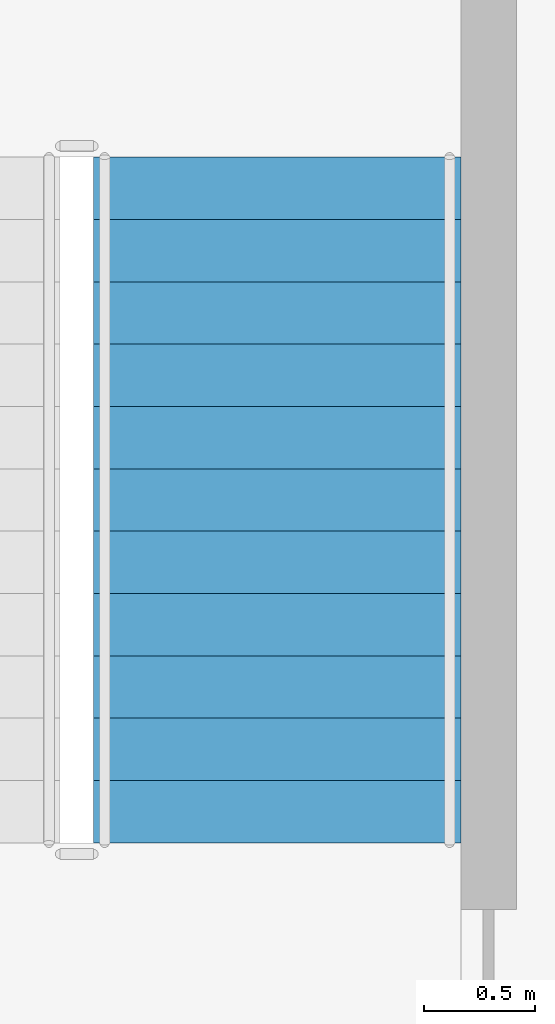
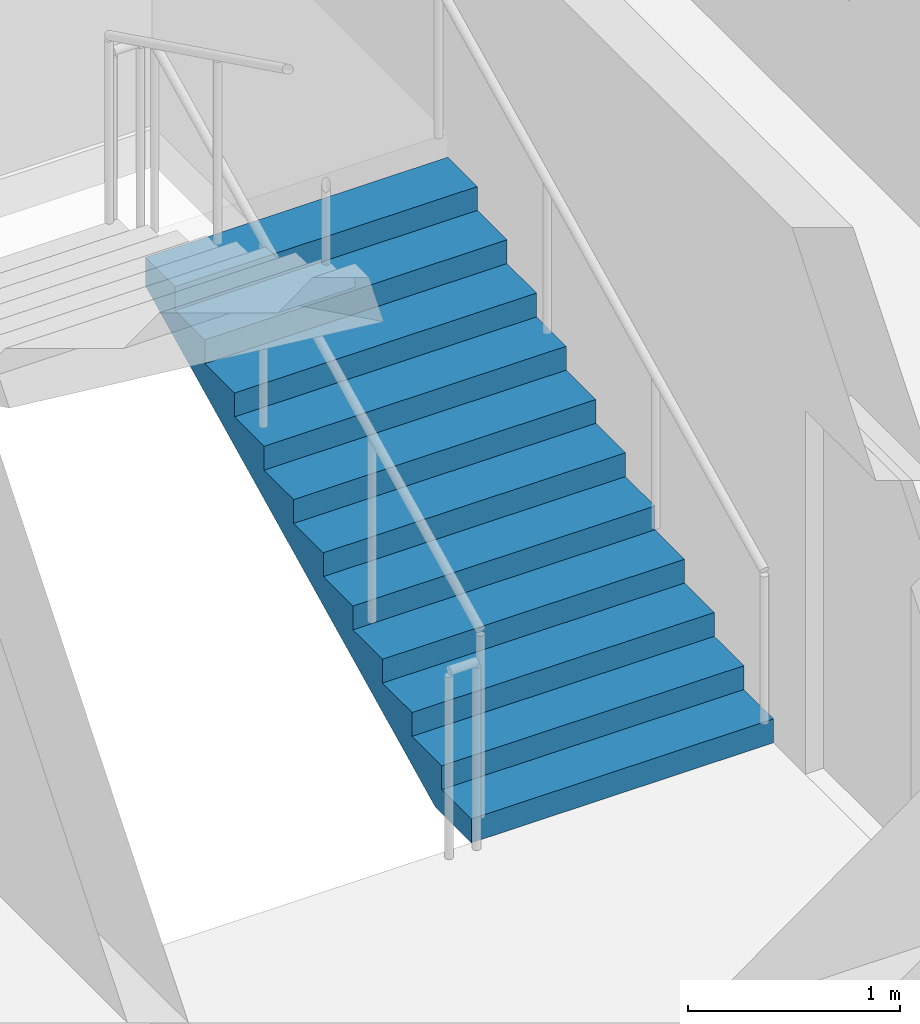
# One storey, part 12 of 27: 1 stair flight, 1 element without a shape of its own.
"""IFC4 building model written with IfcOpenShell, lengths in metres."""

from ifc_helpers import new_model, si_unit, direction, frame, origin, place, context, subcontext, project, spatial, polyline, outline, extrude, material, layer, layer_set, type_object, element, aggregate, save


model = new_model("IFC4")

# Units and contexts
model_context = context("Model", 3, precision=1e-05, world=origin(), true_north=direction((0.0, 1.0)))
body_context = subcontext(model_context, "Body", "Model", "MODEL_VIEW")
ifc_project = project(units=[si_unit("LENGTHUNIT", "METRE"), si_unit("AREAUNIT", "SQUARE_METRE"), si_unit("VOLUMEUNIT", "CUBIC_METRE"), si_unit("PLANEANGLEUNIT", "RADIAN"), si_unit("MASSUNIT", "GRAM", prefix="KILO")], contexts=[model_context])

# Site, building, storey
site_placement = place(None, origin())
site = spatial("IfcSite", under=ifc_project, at=site_placement, CompositionType="ELEMENT")
building_placement = place(site_placement, origin())
building = spatial("IfcBuilding", under=site, at=building_placement, Name="Poui Terraces", CompositionType="ELEMENT")
storey_placement = place(building_placement, frame((0.0, 0.0, 201.60009765625)))
storey = spatial("IfcBuildingStorey", under=building, at=storey_placement, Name="L56", CompositionType="ELEMENT", Elevation=201.60009765625)

# Stair, stair flight
ifc_material = material(Name="Concrete 50 MPa", Category="concrete")
stair_type = type_object("IfcStairType", Name="EXIT STAIR 1650 50 MPA", PredefinedType="HALF_TURN_STAIR", material=ifc_material)
stair_placement = place(storey_placement, origin())
stair = element("IfcStair", 1, at=stair_placement, inside=storey, type_object=stair_type, Name="L56 TIP STAIR EAST", PredefinedType="HALF_TURN_STAIR")
ifc_layer = layer(ifc_material, 0.14990234375)
ifc_layer_set = layer_set([ifc_layer], Name="Concrete 50 MPa")
stair_flight_type = type_object("IfcStairFlightType", Name="STAIR FLIGHT 12 RISERS 138 RISE 50 MPA", PredefinedType="STRAIGHT", material=ifc_layer_set)
stair_flight_placement = place(storey_placement, frame((80.25, 16.60009765625, 0.0), z_axis=(0.0, 0.0, 1.0), x_axis=(0.0, 1.0, 0.0)))
stair_flight = element("IfcStairFlight", 2, at=stair_flight_placement, type_object=stair_flight_type, Name="ST-E flight 1", NumberOfRisers=12, NumberOfTreads=11, PredefinedType="STRAIGHT", RiserHeight=0.1375, TreadLength=0.28, context=body_context, shape_type="SweptSolid", body=[
    extrude(outline(polyline([(0.0, 0.0), (0.0, 0.137451171875), (0.280029296875, 0.137451171875), (0.280029296875, 0.27490234375), (0.56005859375, 0.27490234375), (0.56005859375, 0.41259765625), (0.840087890625, 0.41259765625), (0.840087890625, 0.550048828125), (1.1201171875, 0.550048828125), (1.1201171875, 0.6875), (1.39990234375, 0.6875), (1.39990234375, 0.824951171875), (1.679931640625, 0.824951171875), (1.679931640625, 0.96240234375), (1.9599609375, 0.96240234375), (1.9599609375, 1.10009765625), (2.239990234375, 1.10009765625), (2.239990234375, 1.237548828125), (2.52001953125, 1.237548828125), (2.52001953125, 1.375), (2.800048828125, 1.375), (2.800048828125, 1.512451171875), (3.080078125, 1.512451171875), (3.080078125, 1.64990234375), (3.080078125, 1.345458984375), (0.340087890625, 0.0), (0.0, 0.0)])), frame((0.0, 0.824951171875, 0.0), z_axis=(0.0, -1.0, 0.0), x_axis=(1.0, 0.0, 0.0)), (0.0, 0.0, 1.0), 1.64990234375),
])
aggregate(stair, [stair_flight])

save(model, "model.ifc")
